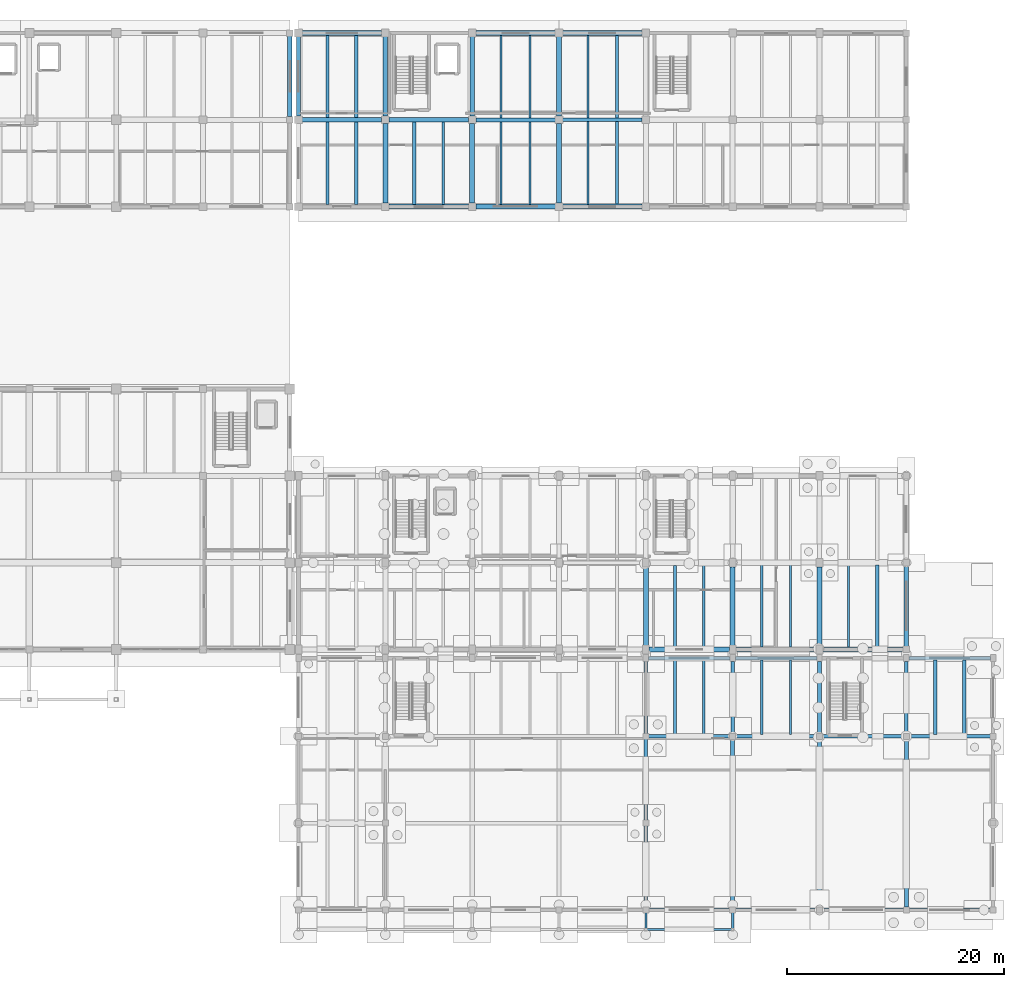
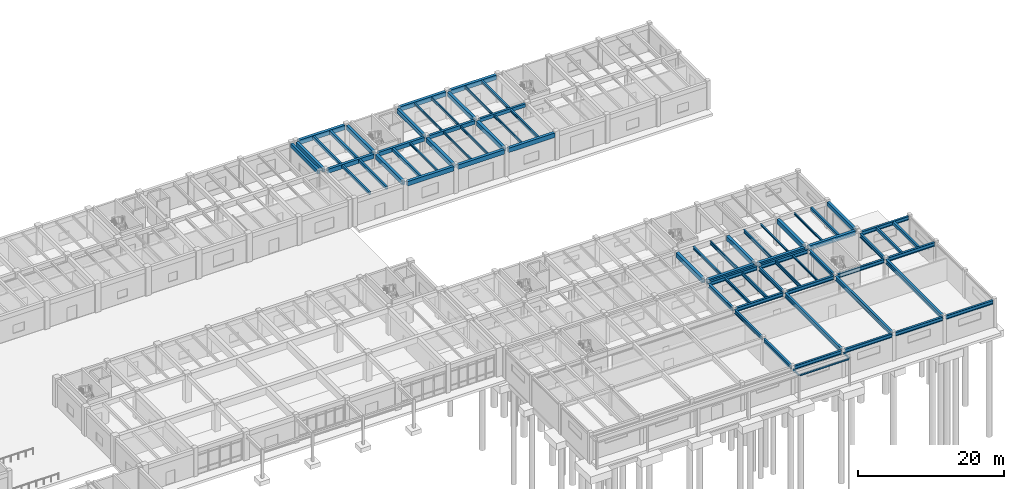
# One storey, part 25 of 64: 74 beams.
"""IFC4 building model written with IfcOpenShell, lengths in metres."""

from ifc_helpers import new_model, si_unit, direction, frame, origin, origin_2d, place, context, subcontext, project, spatial, rectangle, hollow_rectangle, i_section, extrude, material, material_profile, profile_set, type_object, element, save


model = new_model("IFC4")

# Units and contexts
model_context = context("Model", 3, precision=1e-05, world=origin(), true_north=direction((0.0, 1.0)))
body_context = subcontext(model_context, "Body", "Model", "MODEL_VIEW")
ifc_project = project(units=[si_unit("LENGTHUNIT", "METRE"), si_unit("AREAUNIT", "SQUARE_METRE"), si_unit("VOLUMEUNIT", "CUBIC_METRE"), si_unit("PLANEANGLEUNIT", "RADIAN"), si_unit("MASSUNIT", "GRAM", prefix="KILO")], contexts=[model_context])

# Site, building, storey
site_placement = place(None, origin())
site = spatial("IfcSite", under=ifc_project, at=site_placement, CompositionType="ELEMENT")
building_placement = place(site_placement, origin())
building = spatial("IfcBuilding", under=site, at=building_placement, Name="Tlaxcora Railside Police Headquarters", CompositionType="ELEMENT")
storey_placement = place(building_placement, origin())
storey = spatial("IfcBuildingStorey", under=building, at=storey_placement, Name="L00", CompositionType="ELEMENT", Elevation=0.0)

# Beams
ifc_material_1 = material(Name="Steel ASTM A992 Grade 50", Category="steel")
ifc_material_profile_1 = material_profile(ifc_material_1, hollow_rectangle(XDim=0.199951171875, YDim=0.300048828125, WallThickness=0.010009765625, at=origin_2d()), Name="HSS300X200X10")
ifc_profile_set_1 = profile_set([ifc_material_profile_1], Name="Steel ASTM A992 Grade 50")
beam_type_1 = type_object("IfcBeamType", Name="Opening Lintel Beam BM-74", PredefinedType="LINTEL", material=ifc_profile_set_1)
for number, where, z_axis, x_axis, name in (
    (1, (134.800048828125, 10.199951171875, 4.10009765625), (0.0, 1.0, 0.0), (-1.0, 0.0, 0.0), "Forecourt loggia tie beam X=134.8"),
    (2, (142.800048828125, 10.199951171875, 4.10009765625), (0.0, 1.0, 0.0), (-1.0, 0.0, 0.0), "Forecourt loggia tie beam X=142.8"),
):
    element("IfcBeam", number, at=place(storey_placement, frame(where, z_axis=z_axis, x_axis=x_axis)), inside=storey, type_object=beam_type_1, Name=name, PredefinedType="LINTEL", context=body_context, shape_type="SweptSolid", body=[
        extrude(hollow_rectangle(XDim=0.199951171875, YDim=0.300048828125, WallThickness=0.010009765625, at=origin_2d()), origin(), (0.0, 0.0, 1.0), 1.550048828125),
    ])
ifc_material_profile_2 = material_profile(ifc_material_1, i_section(OverallWidth=0.1650390625, OverallDepth=0.31005859375, WebThickness=0.005859375, FlangeThickness=0.009765625, at=origin_2d()), Name="W12X26")
ifc_profile_set_2 = profile_set([ifc_material_profile_2], Name="Steel ASTM A992 Grade 50")
beam_type_2 = type_object("IfcBeamType", Name="Opening Lintel Beam BM-87", PredefinedType="LINTEL", material=ifc_profile_set_2)
beam_1_placement = place(storey_placement, frame((134.89990234375, 10.199951171875, 4.10009765625), z_axis=(1.0, 0.0, 0.0), x_axis=(0.0, 1.0, 0.0)))
element("IfcBeam", 3, at=beam_1_placement, inside=storey, type_object=beam_type_2, Name="Forecourt loggia lintel X=134.8..142.8", PredefinedType="LINTEL", context=body_context, shape_type="SweptSolid", body=[
    extrude(i_section(OverallWidth=0.1650390625, OverallDepth=0.31005859375, WebThickness=0.005859375, FlangeThickness=0.009765625, at=origin_2d()), origin(), (0.0, 0.0, 1.0), 7.800048828125),
])
ifc_material_2 = material(Name="Concrete C40/50", Category="concrete")
ifc_material_profile_3 = material_profile(ifc_material_2, rectangle(XDim=0.39990234375, YDim=0.64990234375, at=origin_2d()), Name="RC400X650")
ifc_profile_set_3 = profile_set([ifc_material_profile_3], Name="Concrete C40/50")
beam_type_3 = type_object("IfcBeamType", Name="Perimeter Spandrel Beam BM-46", PredefinedType="SPANDREL", material=ifc_profile_set_3)
beam_2_placement = place(storey_placement, frame((102.0, 85.090087890625, 4.205078125), z_axis=(0.0, 1.0, 0.0), x_axis=(-1.0, 0.0, 0.0)))
element("IfcBeam", 4, at=beam_2_placement, inside=storey, type_object=beam_type_3, Name="V5 L00 Y-girder X=102.0", PredefinedType="SPANDREL", context=body_context, shape_type="SweptSolid", body=[
    extrude(rectangle(XDim=0.39990234375, YDim=0.64990234375, at=origin_2d()), origin(), (0.0, 0.0, 1.0), 7.419921875),
])
beam_3_placement = place(storey_placement, frame((102.800048828125, 85.139892578125, 4.205078125), z_axis=(0.0, 1.0, 0.0), x_axis=(-1.0, 0.0, 0.0)))
element("IfcBeam", 5, at=beam_3_placement, inside=storey, type_object=beam_type_3, Name="V6 L00 Y-girder X=102.8", PredefinedType="SPANDREL", context=body_context, shape_type="SweptSolid", body=[
    extrude(rectangle(XDim=0.39990234375, YDim=0.64990234375, at=origin_2d()), origin(), (0.0, 0.0, 1.0), 7.320068359375),
])
beam_4_placement = place(storey_placement, frame((158.800048828125, 36.2900390625, 4.135009765625), z_axis=(0.0, 1.0, 0.0), x_axis=(-1.0, 0.0, 0.0)))
element("IfcBeam", 6, at=beam_4_placement, inside=storey, type_object=beam_type_3, Name="V7 L00 Y-girder X=158.8", PredefinedType="SPANDREL", context=body_context, shape_type="SweptSolid", body=[
    extrude(rectangle(XDim=0.39990234375, YDim=0.64990234375, at=origin_2d()), origin(), (0.0, 0.0, 1.0), 7.419921875),
])
ifc_material_profile_4 = material_profile(ifc_material_1, i_section(OverallWidth=0.324951171875, OverallDepth=0.616943359375, WebThickness=0.013916015625, FlangeThickness=0.021484375, at=origin_2d()), Name="W24X117")
ifc_profile_set_4 = profile_set([ifc_material_profile_4], Name="Steel ASTM A992 Grade 50")
beam_type_4 = type_object("IfcBeamType", Name="Perimeter Spandrel Beam BM-60", PredefinedType="SPANDREL", material=ifc_profile_set_4)
for number, where, z_axis, x_axis, name in (
    (7, (135.06494140625, 12.0, 4.221435546875), (1.0, 0.0, 0.0), (0.0, 1.0, 0.0), "V3 L00 X-girder Y=12.0"),
    (8, (143.06494140625, 12.0, 4.221435546875), (1.0, 0.0, 0.0), (0.0, 1.0, 0.0), "V3 L00 X-girder Y=12.0"),
    (9, (151.06494140625, 12.0, 4.221435546875), (1.0, 0.0, 0.0), (0.0, 1.0, 0.0), "V3 L00 X-girder Y=12.0"),
    (10, (159.06494140625, 12.0, 4.221435546875), (1.0, 0.0, 0.0), (0.0, 1.0, 0.0), "V3 L00 X-girder Y=12.0"),
):
    element("IfcBeam", number, at=place(storey_placement, frame(where, z_axis=z_axis, x_axis=x_axis)), inside=storey, type_object=beam_type_4, Name=name, PredefinedType="SPANDREL", context=body_context, shape_type="SweptSolid", body=[
        extrude(i_section(OverallWidth=0.324951171875, OverallDepth=0.616943359375, WebThickness=0.013916015625, FlangeThickness=0.021484375, at=origin_2d()), origin(), (0.0, 0.0, 1.0), 7.469970703125),
    ])
for number, where, z_axis, x_axis, name in (
    (11, (135.0400390625, 35.199951171875, 4.221435546875), (1.0, 0.0, 0.0), (0.0, 1.0, 0.0), "V3 L00 X-girder Y=35.2"),
    (12, (143.0400390625, 35.199951171875, 4.221435546875), (1.0, 0.0, 0.0), (0.0, 1.0, 0.0), "V3 L00 X-girder Y=35.2"),
    (13, (159.0400390625, 35.199951171875, 4.221435546875), (1.0, 0.0, 0.0), (0.0, 1.0, 0.0), "V3 L00 X-girder Y=35.2"),
):
    element("IfcBeam", number, at=place(storey_placement, frame(where, z_axis=z_axis, x_axis=x_axis)), inside=storey, type_object=beam_type_4, Name=name, PredefinedType="SPANDREL", context=body_context, shape_type="SweptSolid", body=[
        extrude(i_section(OverallWidth=0.324951171875, OverallDepth=0.616943359375, WebThickness=0.013916015625, FlangeThickness=0.021484375, at=origin_2d()), origin(), (0.0, 0.0, 1.0), 7.52001953125),
    ])
ifc_material_profile_5 = material_profile(ifc_material_2, rectangle(XDim=0.449951171875, YDim=0.75, at=origin_2d()), Name="RC450X750")
ifc_profile_set_5 = profile_set([ifc_material_profile_5], Name="Concrete C40/50")
beam_type_5 = type_object("IfcBeamType", Name="Perimeter Spandrel Beam BM-86", PredefinedType="SPANDREL", material=ifc_profile_set_5)
for number, where, z_axis, x_axis, name in (
    (14, (111.139892578125, 76.800048828125, 4.155029296875), (1.0, 0.0, 0.0), (0.0, 1.0, 0.0), "V6 L00 X-girder Y=76.8"),
    (15, (119.139892578125, 76.800048828125, 4.155029296875), (1.0, 0.0, 0.0), (0.0, 1.0, 0.0), "V6 L00 X-girder Y=76.8"),
    (16, (127.139892578125, 76.800048828125, 4.155029296875), (1.0, 0.0, 0.0), (0.0, 1.0, 0.0), "V6 L00 X-girder Y=76.8"),
    (17, (103.139892578125, 92.800048828125, 4.155029296875), (1.0, 0.0, 0.0), (0.0, 1.0, 0.0), "V6 L00 X-girder Y=92.8"),
    (18, (119.139892578125, 92.800048828125, 4.155029296875), (1.0, 0.0, 0.0), (0.0, 1.0, 0.0), "V6 L00 X-girder Y=92.8"),
    (19, (127.139892578125, 92.800048828125, 4.155029296875), (1.0, 0.0, 0.0), (0.0, 1.0, 0.0), "V6 L00 X-girder Y=92.8"),
):
    element("IfcBeam", number, at=place(storey_placement, frame(where, z_axis=z_axis, x_axis=x_axis)), inside=storey, type_object=beam_type_5, Name=name, PredefinedType="SPANDREL", context=body_context, shape_type="SweptSolid", body=[
        extrude(rectangle(XDim=0.449951171875, YDim=0.75, at=origin_2d()), origin(), (0.0, 0.0, 1.0), 7.320068359375),
    ])
for number, where, z_axis, x_axis, name in (
    (20, (135.090087890625, 36.0, 4.0849609375), (1.0, 0.0, 0.0), (0.0, 1.0, 0.0), "V7 L00 X-girder Y=36.0"),
    (21, (143.090087890625, 36.0, 4.0849609375), (1.0, 0.0, 0.0), (0.0, 1.0, 0.0), "V7 L00 X-girder Y=36.0"),
    (22, (151.090087890625, 36.0, 4.0849609375), (1.0, 0.0, 0.0), (0.0, 1.0, 0.0), "V7 L00 X-girder Y=36.0"),
):
    element("IfcBeam", number, at=place(storey_placement, frame(where, z_axis=z_axis, x_axis=x_axis)), inside=storey, type_object=beam_type_5, Name=name, PredefinedType="SPANDREL", context=body_context, shape_type="SweptSolid", body=[
        extrude(rectangle(XDim=0.449951171875, YDim=0.75, at=origin_2d()), origin(), (0.0, 0.0, 1.0), 7.419921875),
    ])
ifc_material_profile_6 = material_profile(ifc_material_2, rectangle(XDim=0.3798828125, YDim=0.60009765625, at=origin_2d()), Name="RC380X600")
ifc_profile_set_6 = profile_set([ifc_material_profile_6], Name="Concrete C40/50")
beam_type_6 = type_object("IfcBeamType", Name="Primary Frame Girder BM-22", PredefinedType="BEAM", material=ifc_profile_set_6)
beam_5_placement = place(storey_placement, frame((119.139892578125, 84.800048828125, 4.22998046875), z_axis=(1.0, 0.0, 0.0), x_axis=(0.0, 1.0, 0.0)))
element("IfcBeam", 23, at=beam_5_placement, inside=storey, type_object=beam_type_6, Name="V6 L00 X-girder Y=84.8", PredefinedType="BEAM", context=body_context, shape_type="SweptSolid", body=[
    extrude(rectangle(XDim=0.3798828125, YDim=0.60009765625, at=origin_2d()), origin(), (0.0, 0.0, 1.0), 7.320068359375),
])
ifc_material_profile_7 = material_profile(ifc_material_2, rectangle(XDim=0.419921875, YDim=0.699951171875, at=origin_2d()), Name="RC420X700")
ifc_profile_set_7 = profile_set([ifc_material_profile_7], Name="Concrete C40/50")
beam_type_7 = type_object("IfcBeamType", Name="Primary Frame Girder BM-35", PredefinedType="BEAM", material=ifc_profile_set_7)
for number, where, z_axis, x_axis, name in (
    (24, (103.139892578125, 84.800048828125, 4.179931640625), (1.0, 0.0, 0.0), (0.0, 1.0, 0.0), "V6 L00 X-girder Y=84.8"),
    (25, (110.800048828125, 85.139892578125, 4.179931640625), (0.0, 1.0, 0.0), (-1.0, 0.0, 0.0), "V6 L00 Y-girder X=110.8"),
    (26, (118.800048828125, 85.139892578125, 4.179931640625), (0.0, 1.0, 0.0), (-1.0, 0.0, 0.0), "V6 L00 Y-girder X=118.8"),
    (27, (126.800048828125, 85.139892578125, 4.179931640625), (0.0, 1.0, 0.0), (-1.0, 0.0, 0.0), "V6 L00 Y-girder X=126.8"),
):
    element("IfcBeam", number, at=place(storey_placement, frame(where, z_axis=z_axis, x_axis=x_axis)), inside=storey, type_object=beam_type_7, Name=name, PredefinedType="BEAM", context=body_context, shape_type="SweptSolid", body=[
        extrude(rectangle(XDim=0.419921875, YDim=0.699951171875, at=origin_2d()), origin(), (0.0, 0.0, 1.0), 7.320068359375),
    ])
ifc_material_profile_8 = material_profile(ifc_material_2, rectangle(XDim=0.35009765625, YDim=0.550048828125, at=origin_2d()), Name="RC350X550")
ifc_profile_set_8 = profile_set([ifc_material_profile_8], Name="Concrete C40/50")
beam_type_8 = type_object("IfcBeamType", Name="Primary Frame Girder BM-39", PredefinedType="BEAM", material=ifc_profile_set_8)
beam_6_placement = place(storey_placement, frame((127.139892578125, 84.800048828125, 4.2548828125), z_axis=(1.0, 0.0, 0.0), x_axis=(0.0, 1.0, 0.0)))
element("IfcBeam", 28, at=beam_6_placement, inside=storey, type_object=beam_type_8, Name="V6 L00 X-girder Y=84.8", PredefinedType="BEAM", context=body_context, shape_type="SweptSolid", body=[
    extrude(rectangle(XDim=0.35009765625, YDim=0.550048828125, at=origin_2d()), origin(), (0.0, 0.0, 1.0), 7.320068359375),
])
ifc_material_profile_9 = material_profile(ifc_material_2, rectangle(XDim=0.39990234375, YDim=0.64990234375, at=origin_2d()), Name="RC400X650")
ifc_profile_set_9 = profile_set([ifc_material_profile_9], Name="Concrete C40/50")
beam_type_9 = type_object("IfcBeamType", Name="Primary Frame Girder BM-41", PredefinedType="BEAM", material=ifc_profile_set_9)
beam_7_placement = place(storey_placement, frame((111.139892578125, 84.800048828125, 4.205078125), z_axis=(1.0, 0.0, 0.0), x_axis=(0.0, 1.0, 0.0)))
element("IfcBeam", 29, at=beam_7_placement, inside=storey, type_object=beam_type_9, Name="V6 L00 X-girder Y=84.8", PredefinedType="BEAM", context=body_context, shape_type="SweptSolid", body=[
    extrude(rectangle(XDim=0.39990234375, YDim=0.64990234375, at=origin_2d()), origin(), (0.0, 0.0, 1.0), 7.320068359375),
])
ifc_material_profile_10 = material_profile(ifc_material_1, i_section(OverallWidth=0.324951171875, OverallDepth=0.616943359375, WebThickness=0.013916015625, FlangeThickness=0.021484375, at=origin_2d()), Name="W24X117")
ifc_profile_set_10 = profile_set([ifc_material_profile_10], Name="Steel ASTM A992 Grade 50")
beam_type_10 = type_object("IfcBeamType", Name="Primary Frame Girder BM-72", PredefinedType="BEAM", material=ifc_profile_set_10)
for number, where, z_axis, x_axis, name in (
    (30, (134.800048828125, 12.264892578125, 4.221435546875), (0.0, 1.0, 0.0), (-1.0, 0.0, 0.0), "V3 L00 Y-girder X=134.8"),
    (31, (134.800048828125, 20.264892578125, 4.221435546875), (0.0, 1.0, 0.0), (-1.0, 0.0, 0.0), "V3 L00 Y-girder X=134.8"),
):
    element("IfcBeam", number, at=place(storey_placement, frame(where, z_axis=z_axis, x_axis=x_axis)), inside=storey, type_object=beam_type_10, Name=name, PredefinedType="BEAM", context=body_context, shape_type="SweptSolid", body=[
        extrude(i_section(OverallWidth=0.324951171875, OverallDepth=0.616943359375, WebThickness=0.013916015625, FlangeThickness=0.021484375, at=origin_2d()), origin(), (0.0, 0.0, 1.0), 7.47021484375),
    ])
for number, where, z_axis, x_axis, name in (
    (32, (134.800048828125, 28.264892578125, 4.221435546875), (0.0, 1.0, 0.0), (-1.0, 0.0, 0.0), "V3 L00 Y-girder X=134.8"),
    (33, (142.800048828125, 28.264892578125, 4.221435546875), (0.0, 1.0, 0.0), (-1.0, 0.0, 0.0), "V3 L00 Y-girder X=142.8"),
    (34, (150.800048828125, 28.264892578125, 4.221435546875), (0.0, 1.0, 0.0), (-1.0, 0.0, 0.0), "V3 L00 Y-girder X=150.8"),
    (35, (158.800048828125, 28.264892578125, 4.221435546875), (0.0, 1.0, 0.0), (-1.0, 0.0, 0.0), "V3 L00 Y-girder X=158.8"),
):
    element("IfcBeam", number, at=place(storey_placement, frame(where, z_axis=z_axis, x_axis=x_axis)), inside=storey, type_object=beam_type_10, Name=name, PredefinedType="BEAM", context=body_context, shape_type="SweptSolid", body=[
        extrude(i_section(OverallWidth=0.324951171875, OverallDepth=0.616943359375, WebThickness=0.013916015625, FlangeThickness=0.021484375, at=origin_2d()), origin(), (0.0, 0.0, 1.0), 6.6201171875),
    ])
ifc_material_profile_11 = material_profile(ifc_material_2, rectangle(XDim=0.449951171875, YDim=0.75, at=origin_2d()), Name="RC450X750")
ifc_profile_set_11 = profile_set([ifc_material_profile_11], Name="Concrete C40/50")
beam_type_11 = type_object("IfcBeamType", Name="Primary Frame Girder BM-73", PredefinedType="BEAM", material=ifc_profile_set_11)
for number, where, z_axis, x_axis, name in (
    (36, (110.800048828125, 77.139892578125, 4.155029296875), (0.0, 1.0, 0.0), (-1.0, 0.0, 0.0), "V6 L00 Y-girder X=110.8"),
    (37, (118.800048828125, 77.139892578125, 4.155029296875), (0.0, 1.0, 0.0), (-1.0, 0.0, 0.0), "V6 L00 Y-girder X=118.8"),
    (38, (126.800048828125, 77.139892578125, 4.155029296875), (0.0, 1.0, 0.0), (-1.0, 0.0, 0.0), "V6 L00 Y-girder X=126.8"),
):
    element("IfcBeam", number, at=place(storey_placement, frame(where, z_axis=z_axis, x_axis=x_axis)), inside=storey, type_object=beam_type_11, Name=name, PredefinedType="BEAM", context=body_context, shape_type="SweptSolid", body=[
        extrude(rectangle(XDim=0.449951171875, YDim=0.75, at=origin_2d()), origin(), (0.0, 0.0, 1.0), 7.320068359375),
    ])
for number, where, z_axis, x_axis, name in (
    (39, (134.800048828125, 36.389892578125, 4.0849609375), (0.0, 1.0, 0.0), (-1.0, 0.0, 0.0), "V7 L00 Y-girder X=134.8"),
    (40, (142.800048828125, 36.389892578125, 4.0849609375), (0.0, 1.0, 0.0), (-1.0, 0.0, 0.0), "V7 L00 Y-girder X=142.8"),
    (41, (150.800048828125, 36.389892578125, 4.0849609375), (0.0, 1.0, 0.0), (-1.0, 0.0, 0.0), "V7 L00 Y-girder X=150.8"),
):
    element("IfcBeam", number, at=place(storey_placement, frame(where, z_axis=z_axis, x_axis=x_axis)), inside=storey, type_object=beam_type_11, Name=name, PredefinedType="BEAM", context=body_context, shape_type="SweptSolid", body=[
        extrude(rectangle(XDim=0.449951171875, YDim=0.75, at=origin_2d()), origin(), (0.0, 0.0, 1.0), 7.22021484375),
    ])
ifc_material_profile_12 = material_profile(ifc_material_1, i_section(OverallWidth=0.3291015625, OverallDepth=0.635009765625, WebThickness=0.017822265625, FlangeThickness=0.031005859375, at=origin_2d()), Name="W24X162")
ifc_profile_set_12 = profile_set([ifc_material_profile_12], Name="Steel ASTM A992 Grade 50")
beam_type_12 = type_object("IfcBeamType", Name="Primary Frame Girder BM-77", PredefinedType="BEAM", material=ifc_profile_set_12)
for number, where, z_axis, x_axis, name in (
    (42, (135.06494140625, 28.0, 4.21240234375), (1.0, 0.0, 0.0), (0.0, 1.0, 0.0), "V3 L00 X-girder Y=28.0"),
    (43, (143.06494140625, 28.0, 4.21240234375), (1.0, 0.0, 0.0), (0.0, 1.0, 0.0), "V3 L00 X-girder Y=28.0"),
    (44, (151.06494140625, 28.0, 4.21240234375), (1.0, 0.0, 0.0), (0.0, 1.0, 0.0), "V3 L00 X-girder Y=28.0"),
    (45, (159.06494140625, 28.0, 4.21240234375), (1.0, 0.0, 0.0), (0.0, 1.0, 0.0), "V3 L00 X-girder Y=28.0"),
):
    element("IfcBeam", number, at=place(storey_placement, frame(where, z_axis=z_axis, x_axis=x_axis)), inside=storey, type_object=beam_type_12, Name=name, PredefinedType="BEAM", context=body_context, shape_type="SweptSolid", body=[
        extrude(i_section(OverallWidth=0.3291015625, OverallDepth=0.635009765625, WebThickness=0.017822265625, FlangeThickness=0.031005859375, at=origin_2d()), origin(), (0.0, 0.0, 1.0), 7.469970703125),
    ])
ifc_material_profile_13 = material_profile(ifc_material_1, i_section(OverallWidth=0.35791015625, OverallDepth=0.7060546875, WebThickness=0.018310546875, FlangeThickness=0.0302734375, at=origin_2d()), Name="W27X178")
ifc_profile_set_13 = profile_set([ifc_material_profile_13], Name="Steel ASTM A992 Grade 50")
beam_type_13 = type_object("IfcBeamType", Name="Primary Frame Girder BM-83", PredefinedType="BEAM", material=ifc_profile_set_13)
for number, where, z_axis, x_axis, name in (
    (46, (142.800048828125, 12.264892578125, 4.177001953125), (0.0, 1.0, 0.0), (-1.0, 0.0, 0.0), "V3 L00 Y-girder X=142.8"),
    (47, (150.800048828125, 12.264892578125, 4.177001953125), (0.0, 1.0, 0.0), (-1.0, 0.0, 0.0), "V3 L00 Y-girder X=150.8"),
    (48, (158.800048828125, 12.264892578125, 4.177001953125), (0.0, 1.0, 0.0), (-1.0, 0.0, 0.0), "V3 L00 Y-girder X=158.8"),
):
    element("IfcBeam", number, at=place(storey_placement, frame(where, z_axis=z_axis, x_axis=x_axis)), inside=storey, type_object=beam_type_13, Name=name, PredefinedType="BEAM", context=body_context, shape_type="SweptSolid", body=[
        extrude(i_section(OverallWidth=0.35791015625, OverallDepth=0.7060546875, WebThickness=0.018310546875, FlangeThickness=0.0302734375, at=origin_2d()), origin(), (0.0, 0.0, 1.0), 15.47021484375),
    ])
ifc_material_3 = material(Name="Concrete C35/45", Category="concrete")
ifc_material_profile_14 = material_profile(ifc_material_3, rectangle(XDim=0.300048828125, YDim=0.449951171875, at=origin_2d()), Name="RC300X450")
ifc_profile_set_14 = profile_set([ifc_material_profile_14], Name="Concrete C35/45")
beam_type_14 = type_object("IfcBeamType", Name="Secondary Floor Joist BM-27", PredefinedType="JOIST", material=ifc_profile_set_14)
beam_8_placement = place(storey_placement, frame((161.466796875, 28.156494140625, 4.304931640625), z_axis=(0.0, 1.0, 0.0), x_axis=(-1.0, 0.0, 0.0)))
element("IfcBeam", 49, at=beam_8_placement, inside=storey, type_object=beam_type_14, Name="V3 L00 floor joist X=161.47", PredefinedType="JOIST", context=body_context, shape_type="SweptSolid", body=[
    extrude(rectangle(XDim=0.300048828125, YDim=0.449951171875, at=origin_2d()), origin(), (0.0, 0.0, 1.0), 6.888916015625),
])
beam_9_placement = place(storey_placement, frame((105.466796875, 77.01708984375, 4.304931640625), z_axis=(0.0, 1.0, 0.0), x_axis=(-1.0, 0.0, 0.0)))
element("IfcBeam", 50, at=beam_9_placement, inside=storey, type_object=beam_type_14, Name="V6 L00 floor joist X=105.47", PredefinedType="JOIST", context=body_context, shape_type="SweptSolid", body=[
    extrude(rectangle(XDim=0.300048828125, YDim=0.449951171875, at=origin_2d()), origin(), (0.0, 0.0, 1.0), 7.580810546875),
])
for number, where, z_axis, x_axis, name in (
    (51, (105.466796875, 85.001953125, 4.304931640625), (0.0, 1.0, 0.0), (-1.0, 0.0, 0.0), "V6 L00 floor joist X=105.47"),
    (52, (156.13330078125, 36.217041015625, 4.235107421875), (0.0, 1.0, 0.0), (-1.0, 0.0, 0.0), "V7 L00 floor joist X=156.13"),
):
    element("IfcBeam", number, at=place(storey_placement, frame(where, z_axis=z_axis, x_axis=x_axis)), inside=storey, type_object=beam_type_14, Name=name, PredefinedType="JOIST", context=body_context, shape_type="SweptSolid", body=[
        extrude(rectangle(XDim=0.300048828125, YDim=0.449951171875, at=origin_2d()), origin(), (0.0, 0.0, 1.0), 7.5810546875),
    ])
ifc_material_profile_15 = material_profile(ifc_material_1, i_section(OverallWidth=0.280029296875, OverallDepth=0.4619140625, WebThickness=0.0107421875, FlangeThickness=0.017333984375, at=origin_2d()), Name="W18X76")
ifc_profile_set_15 = profile_set([ifc_material_profile_15], Name="Steel ASTM A992 Grade 50")
beam_type_15 = type_object("IfcBeamType", Name="Secondary Floor Joist BM-44", PredefinedType="JOIST", material=ifc_profile_set_15)
beam_10_placement = place(storey_placement, frame((137.466796875, 28.156494140625, 4.299072265625), z_axis=(0.0, 1.0, 0.0), x_axis=(-1.0, 0.0, 0.0)))
element("IfcBeam", 53, at=beam_10_placement, inside=storey, type_object=beam_type_15, Name="V3 L00 floor joist X=137.47", PredefinedType="JOIST", context=body_context, shape_type="SweptSolid", body=[
    extrude(i_section(OverallWidth=0.280029296875, OverallDepth=0.4619140625, WebThickness=0.0107421875, FlangeThickness=0.017333984375, at=origin_2d()), origin(), (0.0, 0.0, 1.0), 6.888916015625),
])
for number, where, z_axis, x_axis, name in (
    (54, (132.13330078125, 77.01708984375, 4.299072265625), (0.0, 1.0, 0.0), (-1.0, 0.0, 0.0), "V6 L00 floor joist X=132.13"),
    (55, (132.13330078125, 84.967041015625, 4.299072265625), (0.0, 1.0, 0.0), (-1.0, 0.0, 0.0), "V6 L00 floor joist X=132.13"),
):
    element("IfcBeam", number, at=place(storey_placement, frame(where, z_axis=z_axis, x_axis=x_axis)), inside=storey, type_object=beam_type_15, Name=name, PredefinedType="JOIST", context=body_context, shape_type="SweptSolid", body=[
        extrude(i_section(OverallWidth=0.280029296875, OverallDepth=0.4619140625, WebThickness=0.0107421875, FlangeThickness=0.017333984375, at=origin_2d()), origin(), (0.0, 0.0, 1.0), 7.615966796875),
    ])
beam_11_placement = place(storey_placement, frame((137.466796875, 36.217041015625, 4.22900390625), z_axis=(0.0, 1.0, 0.0), x_axis=(-1.0, 0.0, 0.0)))
element("IfcBeam", 56, at=beam_11_placement, inside=storey, type_object=beam_type_15, Name="V7 L00 floor joist X=137.47", PredefinedType="JOIST", context=body_context, shape_type="SweptSolid", body=[
    extrude(i_section(OverallWidth=0.280029296875, OverallDepth=0.4619140625, WebThickness=0.0107421875, FlangeThickness=0.017333984375, at=origin_2d()), origin(), (0.0, 0.0, 1.0), 7.541015625),
])
ifc_material_profile_16 = material_profile(ifc_material_1, i_section(OverallWidth=0.2041015625, OverallDepth=0.35009765625, WebThickness=0.008544921875, FlangeThickness=0.01513671875, at=origin_2d()), Name="W14X48")
ifc_profile_set_16 = profile_set([ifc_material_profile_16], Name="Steel ASTM A992 Grade 50")
beam_type_16 = type_object("IfcBeamType", Name="Secondary Floor Joist BM-65", PredefinedType="JOIST", material=ifc_profile_set_16)
beam_12_placement = place(storey_placement, frame((116.13330078125, 77.01708984375, 4.35498046875), z_axis=(0.0, 1.0, 0.0), x_axis=(-1.0, 0.0, 0.0)))
element("IfcBeam", 57, at=beam_12_placement, inside=storey, type_object=beam_type_16, Name="V6 L00 floor joist X=116.13", PredefinedType="JOIST", context=body_context, shape_type="SweptSolid", body=[
    extrude(i_section(OverallWidth=0.2041015625, OverallDepth=0.35009765625, WebThickness=0.008544921875, FlangeThickness=0.01513671875, at=origin_2d()), origin(), (0.0, 0.0, 1.0), 7.5908203125),
])
beam_13_placement = place(storey_placement, frame((121.466796875, 77.01708984375, 4.35498046875), z_axis=(0.0, 1.0, 0.0), x_axis=(-1.0, 0.0, 0.0)))
element("IfcBeam", 58, at=beam_13_placement, inside=storey, type_object=beam_type_16, Name="V6 L00 floor joist X=121.47", PredefinedType="JOIST", context=body_context, shape_type="SweptSolid", body=[
    extrude(i_section(OverallWidth=0.2041015625, OverallDepth=0.35009765625, WebThickness=0.008544921875, FlangeThickness=0.01513671875, at=origin_2d()), origin(), (0.0, 0.0, 1.0), 7.600830078125),
])
beam_14_placement = place(storey_placement, frame((121.466796875, 84.98193359375, 4.35498046875), z_axis=(0.0, 1.0, 0.0), x_axis=(-1.0, 0.0, 0.0)))
element("IfcBeam", 59, at=beam_14_placement, inside=storey, type_object=beam_type_16, Name="V6 L00 floor joist X=121.47", PredefinedType="JOIST", context=body_context, shape_type="SweptSolid", body=[
    extrude(i_section(OverallWidth=0.2041015625, OverallDepth=0.35009765625, WebThickness=0.008544921875, FlangeThickness=0.01513671875, at=origin_2d()), origin(), (0.0, 0.0, 1.0), 7.60107421875),
])
ifc_material_profile_17 = material_profile(ifc_material_1, i_section(OverallWidth=0.180908203125, OverallDepth=0.4169921875, WebThickness=0.010009765625, FlangeThickness=0.018310546875, at=origin_2d()), Name="W16X57")
ifc_profile_set_17 = profile_set([ifc_material_profile_17], Name="Steel ASTM A992 Grade 50")
beam_type_17 = type_object("IfcBeamType", Name="Secondary Floor Joist BM-84", PredefinedType="JOIST", material=ifc_profile_set_17)
beam_15_placement = place(storey_placement, frame((124.13330078125, 77.01708984375, 4.321533203125), z_axis=(0.0, 1.0, 0.0), x_axis=(-1.0, 0.0, 0.0)))
element("IfcBeam", 60, at=beam_15_placement, inside=storey, type_object=beam_type_17, Name="V6 L00 floor joist X=124.13", PredefinedType="JOIST", context=body_context, shape_type="SweptSolid", body=[
    extrude(i_section(OverallWidth=0.180908203125, OverallDepth=0.4169921875, WebThickness=0.010009765625, FlangeThickness=0.018310546875, at=origin_2d()), origin(), (0.0, 0.0, 1.0), 7.600830078125),
])
beam_16_placement = place(storey_placement, frame((129.466796875, 77.01708984375, 4.321533203125), z_axis=(0.0, 1.0, 0.0), x_axis=(-1.0, 0.0, 0.0)))
element("IfcBeam", 61, at=beam_16_placement, inside=storey, type_object=beam_type_17, Name="V6 L00 floor joist X=129.47", PredefinedType="JOIST", context=body_context, shape_type="SweptSolid", body=[
    extrude(i_section(OverallWidth=0.180908203125, OverallDepth=0.4169921875, WebThickness=0.010009765625, FlangeThickness=0.018310546875, at=origin_2d()), origin(), (0.0, 0.0, 1.0), 7.615966796875),
])
beam_17_placement = place(storey_placement, frame((124.13330078125, 84.98193359375, 4.321533203125), z_axis=(0.0, 1.0, 0.0), x_axis=(-1.0, 0.0, 0.0)))
element("IfcBeam", 62, at=beam_17_placement, inside=storey, type_object=beam_type_17, Name="V6 L00 floor joist X=124.13", PredefinedType="JOIST", context=body_context, shape_type="SweptSolid", body=[
    extrude(i_section(OverallWidth=0.180908203125, OverallDepth=0.4169921875, WebThickness=0.010009765625, FlangeThickness=0.018310546875, at=origin_2d()), origin(), (0.0, 0.0, 1.0), 7.60107421875),
])
beam_18_placement = place(storey_placement, frame((129.466796875, 84.967041015625, 4.321533203125), z_axis=(0.0, 1.0, 0.0), x_axis=(-1.0, 0.0, 0.0)))
element("IfcBeam", 63, at=beam_18_placement, inside=storey, type_object=beam_type_17, Name="V6 L00 floor joist X=129.47", PredefinedType="JOIST", context=body_context, shape_type="SweptSolid", body=[
    extrude(i_section(OverallWidth=0.180908203125, OverallDepth=0.4169921875, WebThickness=0.010009765625, FlangeThickness=0.018310546875, at=origin_2d()), origin(), (0.0, 0.0, 1.0), 7.615966796875),
])
ifc_material_profile_18 = material_profile(ifc_material_3, rectangle(XDim=0.320068359375, YDim=0.5, at=origin_2d()), Name="RC320X500")
ifc_profile_set_18 = profile_set([ifc_material_profile_18], Name="Concrete C35/45")
beam_type_18 = type_object("IfcBeamType", Name="Secondary Floor Joist BM-88", PredefinedType="JOIST", material=ifc_profile_set_18)
beam_19_placement = place(storey_placement, frame((164.13330078125, 28.156494140625, 4.280029296875), z_axis=(0.0, 1.0, 0.0), x_axis=(-1.0, 0.0, 0.0)))
element("IfcBeam", 64, at=beam_19_placement, inside=storey, type_object=beam_type_18, Name="V3 L00 floor joist X=164.13", PredefinedType="JOIST", context=body_context, shape_type="SweptSolid", body=[
    extrude(rectangle(XDim=0.320068359375, YDim=0.5, at=origin_2d()), origin(), (0.0, 0.0, 1.0), 6.888916015625),
])
beam_20_placement = place(storey_placement, frame((108.13330078125, 77.01708984375, 4.280029296875), z_axis=(0.0, 1.0, 0.0), x_axis=(-1.0, 0.0, 0.0)))
element("IfcBeam", 65, at=beam_20_placement, inside=storey, type_object=beam_type_18, Name="V6 L00 floor joist X=108.13", PredefinedType="JOIST", context=body_context, shape_type="SweptSolid", body=[
    extrude(rectangle(XDim=0.320068359375, YDim=0.5, at=origin_2d()), origin(), (0.0, 0.0, 1.0), 7.580810546875),
])
beam_21_placement = place(storey_placement, frame((113.466796875, 77.01708984375, 4.280029296875), z_axis=(0.0, 1.0, 0.0), x_axis=(-1.0, 0.0, 0.0)))
element("IfcBeam", 66, at=beam_21_placement, inside=storey, type_object=beam_type_18, Name="V6 L00 floor joist X=113.47", PredefinedType="JOIST", context=body_context, shape_type="SweptSolid", body=[
    extrude(rectangle(XDim=0.320068359375, YDim=0.5, at=origin_2d()), origin(), (0.0, 0.0, 1.0), 7.5908203125),
])
beam_22_placement = place(storey_placement, frame((108.13330078125, 85.001953125, 4.280029296875), z_axis=(0.0, 1.0, 0.0), x_axis=(-1.0, 0.0, 0.0)))
element("IfcBeam", 67, at=beam_22_placement, inside=storey, type_object=beam_type_18, Name="V6 L00 floor joist X=108.13", PredefinedType="JOIST", context=body_context, shape_type="SweptSolid", body=[
    extrude(rectangle(XDim=0.320068359375, YDim=0.5, at=origin_2d()), origin(), (0.0, 0.0, 1.0), 7.5810546875),
])
ifc_material_profile_19 = material_profile(ifc_material_1, i_section(OverallWidth=0.202880859375, OverallDepth=0.302978515625, WebThickness=0.007568359375, FlangeThickness=0.01318359375, at=origin_2d()), Name="W12X40")
ifc_profile_set_19 = profile_set([ifc_material_profile_19], Name="Steel ASTM A992 Grade 50")
beam_type_19 = type_object("IfcBeamType", Name="Secondary Floor Joist BM-96", PredefinedType="JOIST", material=ifc_profile_set_19)
beam_23_placement = place(storey_placement, frame((148.13330078125, 28.156494140625, 4.37841796875), z_axis=(0.0, 1.0, 0.0), x_axis=(-1.0, 0.0, 0.0)))
element("IfcBeam", 68, at=beam_23_placement, inside=storey, type_object=beam_type_19, Name="V3 L00 floor joist X=148.13", PredefinedType="JOIST", context=body_context, shape_type="SweptSolid", body=[
    extrude(i_section(OverallWidth=0.202880859375, OverallDepth=0.302978515625, WebThickness=0.007568359375, FlangeThickness=0.01318359375, at=origin_2d()), origin(), (0.0, 0.0, 1.0), 6.888916015625),
])
beam_24_placement = place(storey_placement, frame((148.13330078125, 36.217041015625, 4.30859375), z_axis=(0.0, 1.0, 0.0), x_axis=(-1.0, 0.0, 0.0)))
element("IfcBeam", 69, at=beam_24_placement, inside=storey, type_object=beam_type_19, Name="V7 L00 floor joist X=148.13", PredefinedType="JOIST", context=body_context, shape_type="SweptSolid", body=[
    extrude(i_section(OverallWidth=0.202880859375, OverallDepth=0.302978515625, WebThickness=0.007568359375, FlangeThickness=0.01318359375, at=origin_2d()), origin(), (0.0, 0.0, 1.0), 7.56591796875),
])
beam_25_placement = place(storey_placement, frame((153.466796875, 36.217041015625, 4.30859375), z_axis=(0.0, 1.0, 0.0), x_axis=(-1.0, 0.0, 0.0)))
element("IfcBeam", 70, at=beam_25_placement, inside=storey, type_object=beam_type_19, Name="V7 L00 floor joist X=153.47", PredefinedType="JOIST", context=body_context, shape_type="SweptSolid", body=[
    extrude(i_section(OverallWidth=0.202880859375, OverallDepth=0.302978515625, WebThickness=0.007568359375, FlangeThickness=0.01318359375, at=origin_2d()), origin(), (0.0, 0.0, 1.0), 7.5810546875),
])
ifc_material_profile_20 = material_profile(ifc_material_1, i_section(OverallWidth=0.214111328125, OverallDepth=0.549072265625, WebThickness=0.0146484375, FlangeThickness=0.023681640625, at=origin_2d()), Name="W21X93")
ifc_profile_set_20 = profile_set([ifc_material_profile_20], Name="Steel ASTM A992 Grade 50")
beam_type_20 = type_object("IfcBeamType", Name="Secondary Floor Joist BM-97", PredefinedType="JOIST", material=ifc_profile_set_20)
for number, where, z_axis, x_axis, name in (
    (71, (140.13330078125, 28.156494140625, 4.255615234375), (0.0, 1.0, 0.0), (-1.0, 0.0, 0.0), "V3 L00 floor joist X=140.13"),
    (72, (145.466796875, 28.156494140625, 4.255615234375), (0.0, 1.0, 0.0), (-1.0, 0.0, 0.0), "V3 L00 floor joist X=145.47"),
):
    element("IfcBeam", number, at=place(storey_placement, frame(where, z_axis=z_axis, x_axis=x_axis)), inside=storey, type_object=beam_type_20, Name=name, PredefinedType="JOIST", context=body_context, shape_type="SweptSolid", body=[
        extrude(i_section(OverallWidth=0.214111328125, OverallDepth=0.549072265625, WebThickness=0.0146484375, FlangeThickness=0.023681640625, at=origin_2d()), origin(), (0.0, 0.0, 1.0), 6.888916015625),
    ])
beam_26_placement = place(storey_placement, frame((140.13330078125, 36.217041015625, 4.185546875), z_axis=(0.0, 1.0, 0.0), x_axis=(-1.0, 0.0, 0.0)))
element("IfcBeam", 73, at=beam_26_placement, inside=storey, type_object=beam_type_20, Name="V7 L00 floor joist X=140.13", PredefinedType="JOIST", context=body_context, shape_type="SweptSolid", body=[
    extrude(i_section(OverallWidth=0.214111328125, OverallDepth=0.549072265625, WebThickness=0.0146484375, FlangeThickness=0.023681640625, at=origin_2d()), origin(), (0.0, 0.0, 1.0), 7.541015625),
])
beam_27_placement = place(storey_placement, frame((145.466796875, 36.217041015625, 4.185546875), z_axis=(0.0, 1.0, 0.0), x_axis=(-1.0, 0.0, 0.0)))
element("IfcBeam", 74, at=beam_27_placement, inside=storey, type_object=beam_type_20, Name="V7 L00 floor joist X=145.47", PredefinedType="JOIST", context=body_context, shape_type="SweptSolid", body=[
    extrude(i_section(OverallWidth=0.214111328125, OverallDepth=0.549072265625, WebThickness=0.0146484375, FlangeThickness=0.023681640625, at=origin_2d()), origin(), (0.0, 0.0, 1.0), 7.56591796875),
])

save(model, "model.ifc")
